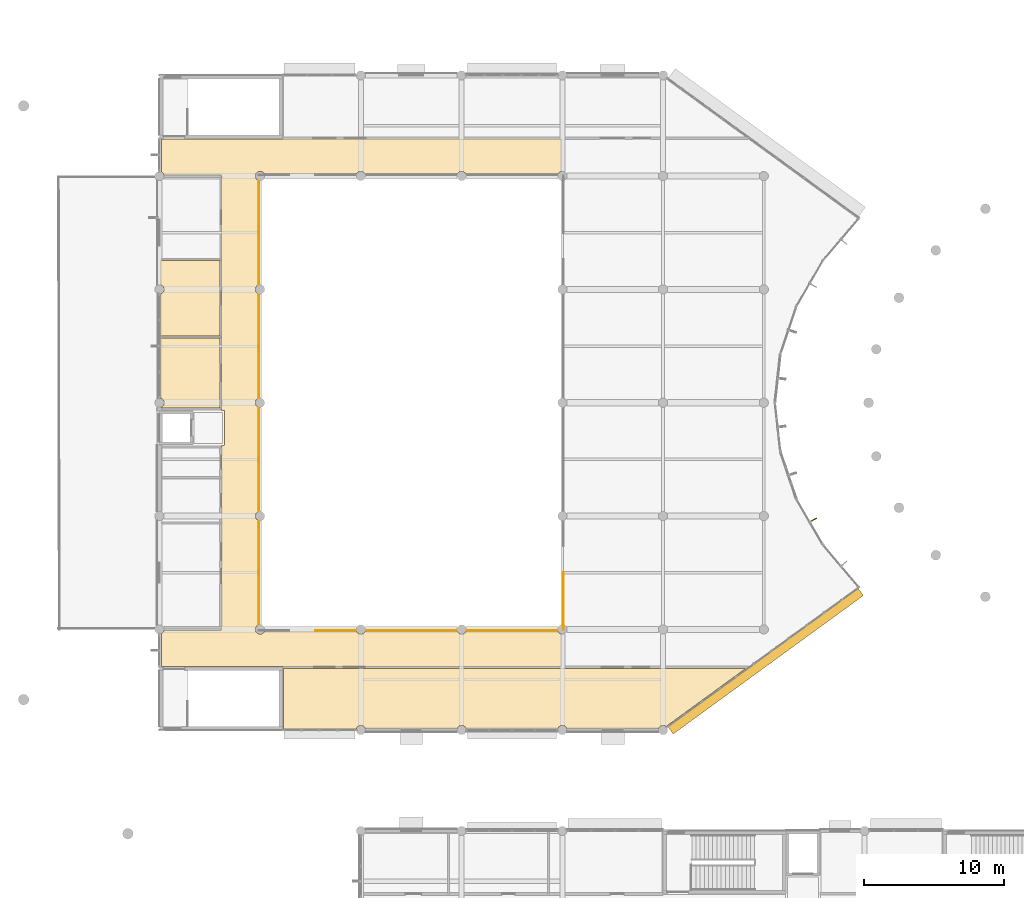
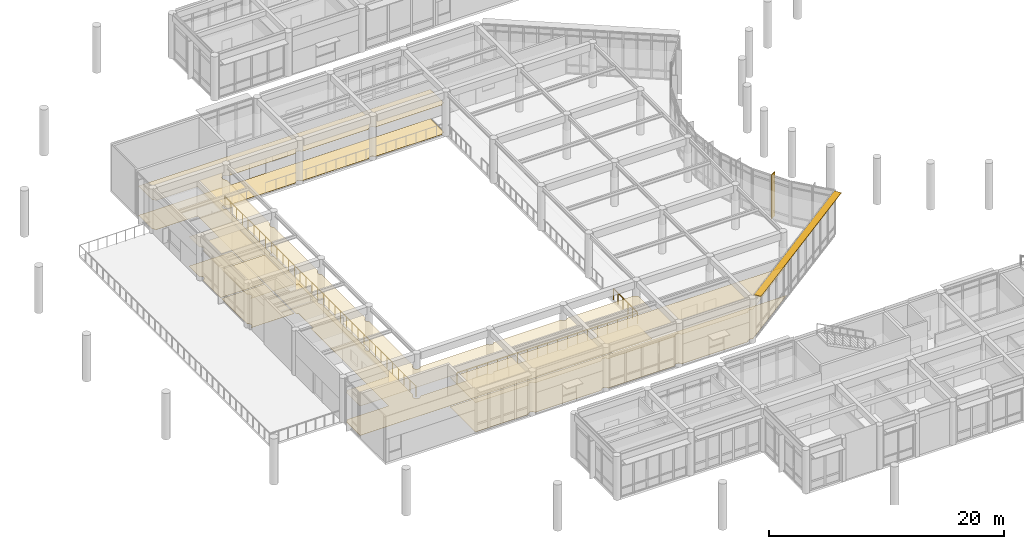
# One storey, part 70 of 92: 8 coverings, 3 railings, 2 shading devices.
"""IFC4 building model written with IfcOpenShell, lengths in metres."""

from ifc_helpers import new_model, si_unit, direction, frame, origin, origin_2d, place, context, subcontext, project, spatial, polyline, rectangle, circle, outline, extrude, material, layer, layer_set, type_object, element, save


model = new_model("IFC4")

# Units and contexts
model_context = context("Model", 3, precision=1e-05, world=origin(), true_north=direction((0.0, 1.0)))
body_context = subcontext(model_context, "Body", "Model", "MODEL_VIEW")
ifc_project = project(units=[si_unit("LENGTHUNIT", "METRE"), si_unit("AREAUNIT", "SQUARE_METRE"), si_unit("VOLUMEUNIT", "CUBIC_METRE"), si_unit("PLANEANGLEUNIT", "RADIAN"), si_unit("MASSUNIT", "GRAM", prefix="KILO")], contexts=[model_context])

# Site, building, storey
site_placement = place(None, origin())
site = spatial("IfcSite", under=ifc_project, at=site_placement, CompositionType="ELEMENT")
building_placement = place(site_placement, origin())
building = spatial("IfcBuilding", under=site, at=building_placement, Name="Namkhue Oval Health Centre", CompositionType="ELEMENT")
storey_placement = place(building_placement, frame((0.0, 0.0, 4.800048828125)))
storey = spatial("IfcBuildingStorey", under=building, at=storey_placement, Name="L01", CompositionType="ELEMENT", Elevation=4.800048828125)

# Coverings
ifc_material_1 = material(Name="Acoustic mineral-fibre cleanroom ceiling", Category="gypsum")
ifc_layer_1 = layer(ifc_material_1, 0.02001953125)
ifc_layer_set_1 = layer_set([ifc_layer_1], Name="Acoustic mineral-fibre cleanroom ceiling")
covering_type_1 = type_object("IfcCoveringType", Name="ACOUSTIC CLEANROOM CEILING 20", PredefinedType="CEILING", material=ifc_layer_set_1)
covering_1_placement = place(storey_placement, frame((0.0, 0.0, 3.050048828125)))
element("IfcCovering", 1, at=covering_1_placement, inside=storey, type_object=covering_type_1, Name="Acoustic Ceiling L01-V1-C1 Main Concourse Corridor", PredefinedType="CEILING", context=body_context, shape_type="SweptSolid", body=[
    extrude(outline(polyline([(21.735107421875, 42.896484375), (21.767578125, 42.909912109375), (21.8369140625, 42.963134765625), (21.89013671875, 43.032470703125), (21.923583984375, 43.11328125), (21.928466796875, 43.14990234375), (26.0, 43.14990234375), (26.014404296875, 43.152099609375), (26.02783203125, 43.158447265625), (26.04150390625, 43.172119140625), (26.0478515625, 43.185546875), (26.050048828125, 43.199951171875), (26.050048828125, 56.35009765625), (26.209716796875, 56.35107421875), (26.227783203125, 56.3583984375), (26.23876953125, 56.368408203125), (26.24609375, 56.380859375), (26.25, 56.39990234375), (26.249755859375, 58.804931640625), (26.244140625, 58.823486328125), (26.2353515625, 58.83544921875), (26.2236328125, 58.843994140625), (26.209716796875, 58.84912109375), (26.050048828125, 58.85009765625), (26.049072265625, 75.60986328125), (26.04150390625, 75.627685546875), (26.03173828125, 75.638671875), (26.01904296875, 75.646240234375), (26.0, 75.64990234375), (21.928466796875, 75.64990234375), (21.923583984375, 75.686767578125), (21.89013671875, 75.767578125), (21.8369140625, 75.8369140625), (21.767578125, 75.89013671875), (21.735107421875, 75.903564453125), (21.735107421875, 78.25), (50.389892578125, 78.25), (50.389892578125, 75.93359375), (50.313232421875, 75.923583984375), (50.232421875, 75.89013671875), (50.1630859375, 75.8369140625), (50.10986328125, 75.767578125), (50.096435546875, 75.735107421875), (43.503662109375, 75.735107421875), (43.489990234375, 75.767578125), (43.43701171875, 75.8369140625), (43.367431640625, 75.89013671875), (43.28662109375, 75.923583984375), (43.199951171875, 75.93505859375), (43.11328125, 75.923583984375), (43.032470703125, 75.89013671875), (42.963134765625, 75.8369140625), (42.909912109375, 75.767578125), (42.896484375, 75.735107421875), (36.3037109375, 75.735107421875), (36.2900390625, 75.767578125), (36.23681640625, 75.8369140625), (36.16748046875, 75.89013671875), (36.086669921875, 75.923583984375), (36.0, 75.93505859375), (35.913330078125, 75.923583984375), (35.83251953125, 75.89013671875), (35.76318359375, 75.8369140625), (35.7099609375, 75.767578125), (35.6962890625, 75.735107421875), (29.103515625, 75.735107421875), (29.090087890625, 75.767578125), (29.036865234375, 75.8369140625), (28.967529296875, 75.89013671875), (28.88671875, 75.923583984375), (28.800048828125, 75.93505859375), (28.71337890625, 75.923583984375), (28.632568359375, 75.89013671875), (28.56298828125, 75.8369140625), (28.510009765625, 75.767578125), (28.476318359375, 75.686767578125), (28.465087890625, 75.60009765625), (28.476318359375, 75.51318359375), (28.510009765625, 75.4326171875), (28.56298828125, 75.363037109375), (28.632568359375, 75.309814453125), (28.6650390625, 75.29638671875), (28.6650390625, 67.8037109375), (28.632568359375, 67.7900390625), (28.56298828125, 67.73681640625), (28.510009765625, 67.66748046875), (28.476318359375, 67.586669921875), (28.465087890625, 67.5), (28.476318359375, 67.413330078125), (28.510009765625, 67.33251953125), (28.56298828125, 67.26318359375), (28.632568359375, 67.2099609375), (28.6650390625, 67.1962890625), (28.6650390625, 59.70361328125), (28.632568359375, 59.690185546875), (28.56298828125, 59.636962890625), (28.510009765625, 59.5673828125), (28.476318359375, 59.48681640625), (28.465087890625, 59.39990234375), (28.476318359375, 59.313232421875), (28.510009765625, 59.232421875), (28.56298828125, 59.1630859375), (28.632568359375, 59.10986328125), (28.6650390625, 59.096435546875), (28.6650390625, 51.603515625), (28.632568359375, 51.590087890625), (28.56298828125, 51.536865234375), (28.510009765625, 51.467529296875), (28.476318359375, 51.38671875), (28.465087890625, 51.300048828125), (28.476318359375, 51.21337890625), (28.510009765625, 51.132568359375), (28.56298828125, 51.06298828125), (28.632568359375, 51.010009765625), (28.6650390625, 50.996337890625), (28.6650390625, 43.503662109375), (28.632568359375, 43.489990234375), (28.56298828125, 43.43701171875), (28.510009765625, 43.367431640625), (28.476318359375, 43.28662109375), (28.465087890625, 43.199951171875), (28.476318359375, 43.11328125), (28.510009765625, 43.032470703125), (28.56298828125, 42.963134765625), (28.632568359375, 42.909912109375), (28.71337890625, 42.87646484375), (28.800048828125, 42.864990234375), (28.88671875, 42.87646484375), (28.967529296875, 42.909912109375), (29.036865234375, 42.963134765625), (29.090087890625, 43.032470703125), (29.103515625, 43.06494140625), (35.6962890625, 43.06494140625), (35.7099609375, 43.032470703125), (35.76318359375, 42.963134765625), (35.83251953125, 42.909912109375), (35.913330078125, 42.87646484375), (36.0, 42.864990234375), (36.086669921875, 42.87646484375), (36.16748046875, 42.909912109375), (36.23681640625, 42.963134765625), (36.2900390625, 43.032470703125), (36.3037109375, 43.06494140625), (42.896484375, 43.06494140625), (42.909912109375, 43.032470703125), (42.963134765625, 42.963134765625), (43.032470703125, 42.909912109375), (43.11328125, 42.87646484375), (43.199951171875, 42.864990234375), (43.28662109375, 42.87646484375), (43.367431640625, 42.909912109375), (43.43701171875, 42.963134765625), (43.489990234375, 43.032470703125), (43.503662109375, 43.06494140625), (50.096435546875, 43.06494140625), (50.10986328125, 43.032470703125), (50.1630859375, 42.963134765625), (50.232421875, 42.909912109375), (50.313232421875, 42.87646484375), (50.389892578125, 42.8662109375), (50.389892578125, 40.550048828125), (21.735107421875, 40.550048828125), (21.735107421875, 42.896484375)])), origin(), (0.0, 0.0, 1.0), 0.02001953125),
])
covering_2_placement = place(storey_placement, frame((0.0, 0.0, 3.050048828125)))
element("IfcCovering", 2, at=covering_2_placement, inside=storey, type_object=covering_type_1, Name="Acoustic Ceiling L01-104 Telemedicine Consultation Suite", PredefinedType="CEILING", context=body_context, shape_type="SweptSolid", body=[
    extrude(outline(polyline([(21.68505859375, 59.02001953125), (21.68505859375, 59.076171875), (21.767578125, 59.10986328125), (21.8369140625, 59.1630859375), (21.89013671875, 59.232421875), (21.923583984375, 59.313232421875), (21.93505859375, 59.39990234375), (21.923583984375, 59.48681640625), (21.89013671875, 59.5673828125), (21.8369140625, 59.636962890625), (21.767578125, 59.690185546875), (21.68505859375, 59.723876953125), (21.68505859375, 64.030029296875), (25.919921875, 64.030029296875), (25.919921875, 59.02001953125), (21.68505859375, 59.02001953125)])), origin(), (0.0, 0.0, 1.0), 0.02001953125),
])
covering_3_placement = place(storey_placement, frame((0.0, 0.0, 3.050048828125)))
element("IfcCovering", 3, at=covering_3_placement, inside=storey, type_object=covering_type_1, Name="Acoustic Ceiling L01-105 Nutrition Counselling Room", PredefinedType="CEILING", context=body_context, shape_type="SweptSolid", body=[
    extrude(outline(polyline([(21.68505859375, 64.169921875), (21.68505859375, 67.17626953125), (21.767578125, 67.2099609375), (21.8369140625, 67.26318359375), (21.89013671875, 67.33251953125), (21.923583984375, 67.413330078125), (21.93505859375, 67.5), (21.923583984375, 67.586669921875), (21.89013671875, 67.66748046875), (21.8369140625, 67.73681640625), (21.767578125, 67.7900390625), (21.68505859375, 67.82373046875), (21.68505859375, 69.580078125), (25.919921875, 69.580078125), (25.919921875, 64.169921875), (21.68505859375, 64.169921875)])), origin(), (0.0, 0.0, 1.0), 0.02001953125),
])
covering_4_placement = place(storey_placement, frame((0.0, 0.0, 3.050048828125)))
element("IfcCovering", 4, at=covering_4_placement, inside=storey, type_object=covering_type_1, Name="Acoustic Ceiling L01-120 Antenatal Wellness Clinic", PredefinedType="CEILING", context=body_context, shape_type="SweptSolid", body=[
    extrude(outline(polyline([(57.809814453125, 36.2578125), (57.767578125, 36.2900390625), (57.686767578125, 36.323486328125), (57.60009765625, 36.3349609375), (57.51318359375, 36.323486328125), (57.4326171875, 36.2900390625), (57.363037109375, 36.23681640625), (57.309814453125, 36.16748046875), (57.276123046875, 36.0849609375), (50.723876953125, 36.0849609375), (50.690185546875, 36.16748046875), (50.636962890625, 36.23681640625), (50.5673828125, 36.2900390625), (50.48681640625, 36.323486328125), (50.39990234375, 36.3349609375), (50.313232421875, 36.323486328125), (50.232421875, 36.2900390625), (50.1630859375, 36.23681640625), (50.10986328125, 36.16748046875), (50.076171875, 36.0849609375), (43.523681640625, 36.0849609375), (43.489990234375, 36.16748046875), (43.43701171875, 36.23681640625), (43.367431640625, 36.2900390625), (43.28662109375, 36.323486328125), (43.199951171875, 36.3349609375), (43.11328125, 36.323486328125), (43.032470703125, 36.2900390625), (42.963134765625, 36.23681640625), (42.909912109375, 36.16748046875), (42.876220703125, 36.0849609375), (36.32373046875, 36.0849609375), (36.2900390625, 36.16748046875), (36.23681640625, 36.23681640625), (36.16748046875, 36.2900390625), (36.086669921875, 36.323486328125), (36.0, 36.3349609375), (35.913330078125, 36.323486328125), (35.83251953125, 36.2900390625), (35.76318359375, 36.23681640625), (35.7099609375, 36.16748046875), (35.67626953125, 36.0849609375), (30.47998046875, 36.0849609375), (30.47998046875, 40.419921875), (63.5283203125, 40.419921875), (57.809814453125, 36.2578125)])), origin(), (0.0, 0.0, 1.0), 0.02001953125),
])
ifc_material_2 = material(Name="Homogeneous anti-bacterial clinical vinyl flooring", Category="plastic")
ifc_layer_2 = layer(ifc_material_2, 0.014892578125)
ifc_layer_set_2 = layer_set([ifc_layer_2], Name="Homogeneous anti-bacterial clinical vinyl flooring")
covering_type_2 = type_object("IfcCoveringType", Name="CLINICAL ANTIBACTERIAL VINYL FLOORING 15", PredefinedType="FLOORING", material=ifc_layer_set_2)
covering_5_placement = place(storey_placement, origin())
element("IfcCovering", 5, at=covering_5_placement, inside=storey, type_object=covering_type_2, Name="Clinical Flooring L01-V1-C1 Main Concourse Corridor", PredefinedType="FLOORING", context=body_context, shape_type="SweptSolid", body=[
    extrude(outline(polyline([(21.735107421875, 42.896484375), (21.767578125, 42.909912109375), (21.8369140625, 42.963134765625), (21.89013671875, 43.032470703125), (21.923583984375, 43.11328125), (21.928466796875, 43.14990234375), (26.0, 43.14990234375), (26.014404296875, 43.152099609375), (26.02783203125, 43.158447265625), (26.04150390625, 43.172119140625), (26.0478515625, 43.185546875), (26.050048828125, 43.199951171875), (26.050048828125, 56.35009765625), (26.209716796875, 56.35107421875), (26.227783203125, 56.3583984375), (26.23876953125, 56.368408203125), (26.24609375, 56.380859375), (26.25, 56.39990234375), (26.249755859375, 58.804931640625), (26.244140625, 58.823486328125), (26.2353515625, 58.83544921875), (26.2236328125, 58.843994140625), (26.209716796875, 58.84912109375), (26.050048828125, 58.85009765625), (26.049072265625, 75.60986328125), (26.04150390625, 75.627685546875), (26.03173828125, 75.638671875), (26.01904296875, 75.646240234375), (26.0, 75.64990234375), (21.928466796875, 75.64990234375), (21.923583984375, 75.686767578125), (21.89013671875, 75.767578125), (21.8369140625, 75.8369140625), (21.767578125, 75.89013671875), (21.735107421875, 75.903564453125), (21.735107421875, 78.25), (50.389892578125, 78.25), (50.389892578125, 75.93359375), (50.313232421875, 75.923583984375), (50.232421875, 75.89013671875), (50.1630859375, 75.8369140625), (50.10986328125, 75.767578125), (50.096435546875, 75.735107421875), (43.503662109375, 75.735107421875), (43.489990234375, 75.767578125), (43.43701171875, 75.8369140625), (43.367431640625, 75.89013671875), (43.28662109375, 75.923583984375), (43.199951171875, 75.93505859375), (43.11328125, 75.923583984375), (43.032470703125, 75.89013671875), (42.963134765625, 75.8369140625), (42.909912109375, 75.767578125), (42.896484375, 75.735107421875), (36.3037109375, 75.735107421875), (36.2900390625, 75.767578125), (36.23681640625, 75.8369140625), (36.16748046875, 75.89013671875), (36.086669921875, 75.923583984375), (36.0, 75.93505859375), (35.913330078125, 75.923583984375), (35.83251953125, 75.89013671875), (35.76318359375, 75.8369140625), (35.7099609375, 75.767578125), (35.6962890625, 75.735107421875), (29.103515625, 75.735107421875), (29.090087890625, 75.767578125), (29.036865234375, 75.8369140625), (28.967529296875, 75.89013671875), (28.88671875, 75.923583984375), (28.800048828125, 75.93505859375), (28.71337890625, 75.923583984375), (28.632568359375, 75.89013671875), (28.56298828125, 75.8369140625), (28.510009765625, 75.767578125), (28.476318359375, 75.686767578125), (28.465087890625, 75.60009765625), (28.476318359375, 75.51318359375), (28.510009765625, 75.4326171875), (28.56298828125, 75.363037109375), (28.632568359375, 75.309814453125), (28.6650390625, 75.29638671875), (28.6650390625, 67.8037109375), (28.632568359375, 67.7900390625), (28.56298828125, 67.73681640625), (28.510009765625, 67.66748046875), (28.476318359375, 67.586669921875), (28.465087890625, 67.5), (28.476318359375, 67.413330078125), (28.510009765625, 67.33251953125), (28.56298828125, 67.26318359375), (28.632568359375, 67.2099609375), (28.6650390625, 67.1962890625), (28.6650390625, 59.70361328125), (28.632568359375, 59.690185546875), (28.56298828125, 59.636962890625), (28.510009765625, 59.5673828125), (28.476318359375, 59.48681640625), (28.465087890625, 59.39990234375), (28.476318359375, 59.313232421875), (28.510009765625, 59.232421875), (28.56298828125, 59.1630859375), (28.632568359375, 59.10986328125), (28.6650390625, 59.096435546875), (28.6650390625, 51.603515625), (28.632568359375, 51.590087890625), (28.56298828125, 51.536865234375), (28.510009765625, 51.467529296875), (28.476318359375, 51.38671875), (28.465087890625, 51.300048828125), (28.476318359375, 51.21337890625), (28.510009765625, 51.132568359375), (28.56298828125, 51.06298828125), (28.632568359375, 51.010009765625), (28.6650390625, 50.996337890625), (28.6650390625, 43.503662109375), (28.632568359375, 43.489990234375), (28.56298828125, 43.43701171875), (28.510009765625, 43.367431640625), (28.476318359375, 43.28662109375), (28.465087890625, 43.199951171875), (28.476318359375, 43.11328125), (28.510009765625, 43.032470703125), (28.56298828125, 42.963134765625), (28.632568359375, 42.909912109375), (28.71337890625, 42.87646484375), (28.800048828125, 42.864990234375), (28.88671875, 42.87646484375), (28.967529296875, 42.909912109375), (29.036865234375, 42.963134765625), (29.090087890625, 43.032470703125), (29.103515625, 43.06494140625), (35.6962890625, 43.06494140625), (35.7099609375, 43.032470703125), (35.76318359375, 42.963134765625), (35.83251953125, 42.909912109375), (35.913330078125, 42.87646484375), (36.0, 42.864990234375), (36.086669921875, 42.87646484375), (36.16748046875, 42.909912109375), (36.23681640625, 42.963134765625), (36.2900390625, 43.032470703125), (36.3037109375, 43.06494140625), (42.896484375, 43.06494140625), (42.909912109375, 43.032470703125), (42.963134765625, 42.963134765625), (43.032470703125, 42.909912109375), (43.11328125, 42.87646484375), (43.199951171875, 42.864990234375), (43.28662109375, 42.87646484375), (43.367431640625, 42.909912109375), (43.43701171875, 42.963134765625), (43.489990234375, 43.032470703125), (43.503662109375, 43.06494140625), (50.096435546875, 43.06494140625), (50.10986328125, 43.032470703125), (50.1630859375, 42.963134765625), (50.232421875, 42.909912109375), (50.313232421875, 42.87646484375), (50.389892578125, 42.8662109375), (50.389892578125, 40.550048828125), (21.735107421875, 40.550048828125), (21.735107421875, 42.896484375)])), origin(), (0.0, 0.0, 1.0), 0.014892578125),
])
covering_6_placement = place(storey_placement, origin())
element("IfcCovering", 6, at=covering_6_placement, inside=storey, type_object=covering_type_2, Name="Clinical Flooring L01-104 Telemedicine Consultation Suite", PredefinedType="FLOORING", context=body_context, shape_type="SweptSolid", body=[
    extrude(outline(polyline([(21.68505859375, 59.02001953125), (21.68505859375, 59.076171875), (21.767578125, 59.10986328125), (21.8369140625, 59.1630859375), (21.89013671875, 59.232421875), (21.923583984375, 59.313232421875), (21.93505859375, 59.39990234375), (21.923583984375, 59.48681640625), (21.89013671875, 59.5673828125), (21.8369140625, 59.636962890625), (21.767578125, 59.690185546875), (21.68505859375, 59.723876953125), (21.68505859375, 64.030029296875), (25.919921875, 64.030029296875), (25.919921875, 59.02001953125), (21.68505859375, 59.02001953125)])), origin(), (0.0, 0.0, 1.0), 0.014892578125),
])
covering_7_placement = place(storey_placement, origin())
element("IfcCovering", 7, at=covering_7_placement, inside=storey, type_object=covering_type_2, Name="Clinical Flooring L01-105 Nutrition Counselling Room", PredefinedType="FLOORING", context=body_context, shape_type="SweptSolid", body=[
    extrude(outline(polyline([(21.68505859375, 64.169921875), (21.68505859375, 67.17626953125), (21.767578125, 67.2099609375), (21.8369140625, 67.26318359375), (21.89013671875, 67.33251953125), (21.923583984375, 67.413330078125), (21.93505859375, 67.5), (21.923583984375, 67.586669921875), (21.89013671875, 67.66748046875), (21.8369140625, 67.73681640625), (21.767578125, 67.7900390625), (21.68505859375, 67.82373046875), (21.68505859375, 69.580078125), (25.919921875, 69.580078125), (25.919921875, 64.169921875), (21.68505859375, 64.169921875)])), origin(), (0.0, 0.0, 1.0), 0.014892578125),
])
covering_8_placement = place(storey_placement, origin())
element("IfcCovering", 8, at=covering_8_placement, inside=storey, type_object=covering_type_2, Name="Clinical Flooring L01-120 Antenatal Wellness Clinic", PredefinedType="FLOORING", context=body_context, shape_type="SweptSolid", body=[
    extrude(outline(polyline([(57.809814453125, 36.2578125), (57.767578125, 36.2900390625), (57.686767578125, 36.323486328125), (57.60009765625, 36.3349609375), (57.51318359375, 36.323486328125), (57.4326171875, 36.2900390625), (57.363037109375, 36.23681640625), (57.309814453125, 36.16748046875), (57.276123046875, 36.0849609375), (50.723876953125, 36.0849609375), (50.690185546875, 36.16748046875), (50.636962890625, 36.23681640625), (50.5673828125, 36.2900390625), (50.48681640625, 36.323486328125), (50.39990234375, 36.3349609375), (50.313232421875, 36.323486328125), (50.232421875, 36.2900390625), (50.1630859375, 36.23681640625), (50.10986328125, 36.16748046875), (50.076171875, 36.0849609375), (43.523681640625, 36.0849609375), (43.489990234375, 36.16748046875), (43.43701171875, 36.23681640625), (43.367431640625, 36.2900390625), (43.28662109375, 36.323486328125), (43.199951171875, 36.3349609375), (43.11328125, 36.323486328125), (43.032470703125, 36.2900390625), (42.963134765625, 36.23681640625), (42.909912109375, 36.16748046875), (42.876220703125, 36.0849609375), (36.32373046875, 36.0849609375), (36.2900390625, 36.16748046875), (36.23681640625, 36.23681640625), (36.16748046875, 36.2900390625), (36.086669921875, 36.323486328125), (36.0, 36.3349609375), (35.913330078125, 36.323486328125), (35.83251953125, 36.2900390625), (35.76318359375, 36.23681640625), (35.7099609375, 36.16748046875), (35.67626953125, 36.0849609375), (30.47998046875, 36.0849609375), (30.47998046875, 40.419921875), (63.5283203125, 40.419921875), (57.809814453125, 36.2578125)])), origin(), (0.0, 0.0, 1.0), 0.014892578125),
])

# Railings
ifc_material_3 = material(Name="Brushed stainless steel 316L balustrade with laminated glass infill", Category="steel")
railing_type = type_object("IfcRailingType", Name="INTERIOR BALUSTRADE GUARD 1150", PredefinedType="BALUSTRADE", material=ifc_material_3)
railing_1_placement = place(storey_placement, frame((28.719970703125, 43.179931640625, 0.0)))
element("IfcRailing", 9, at=railing_1_placement, inside=storey, type_object=railing_type, Name="Waiting Hall L01 Mezzanine Atrium Guard 1", PredefinedType="BALUSTRADE", context=body_context, shape_type="SweptSolid", body=[
    extrude(circle(Radius=0.02392578125, at=origin_2d()), frame((0.0, 0.0, 1.1259765625), z_axis=(0.0, 1.0, 0.0), x_axis=(-1.0, 0.0, 0.0)), (0.0, 0.0, 1.0), 32.440185546875),
    extrude(circle(Radius=0.02099609375, at=origin_2d()), origin(), (0.0, 0.0, 1.0), 1.101806640625),
    extrude(circle(Radius=0.02099609375, at=origin_2d()), frame((0.0, 0.983154296875, 0.0)), (0.0, 0.0, 1.0), 1.101806640625),
    extrude(circle(Radius=0.02099609375, at=origin_2d()), frame((0.0, 1.966064453125, 0.0)), (0.0, 0.0, 1.0), 1.101806640625),
    extrude(circle(Radius=0.02099609375, at=origin_2d()), frame((0.0, 2.94921875, 0.0)), (0.0, 0.0, 1.0), 1.101806640625),
    extrude(circle(Radius=0.02099609375, at=origin_2d()), frame((0.0, 3.93212890625, 0.0)), (0.0, 0.0, 1.0), 1.101806640625),
    extrude(circle(Radius=0.02099609375, at=origin_2d()), frame((0.0, 4.915283203125, 0.0)), (0.0, 0.0, 1.0), 1.101806640625),
    extrude(circle(Radius=0.02099609375, at=origin_2d()), frame((0.0, 5.898193359375, 0.0)), (0.0, 0.0, 1.0), 1.101806640625),
    extrude(circle(Radius=0.02099609375, at=origin_2d()), frame((0.0, 6.88134765625, 0.0)), (0.0, 0.0, 1.0), 1.101806640625),
    extrude(circle(Radius=0.02099609375, at=origin_2d()), frame((0.0, 7.8642578125, 0.0)), (0.0, 0.0, 1.0), 1.101806640625),
    extrude(circle(Radius=0.02099609375, at=origin_2d()), frame((0.0, 8.847412109375, 0.0)), (0.0, 0.0, 1.0), 1.101806640625),
    extrude(circle(Radius=0.02099609375, at=origin_2d()), frame((0.0, 9.830322265625, 0.0)), (0.0, 0.0, 1.0), 1.101806640625),
    extrude(circle(Radius=0.02099609375, at=origin_2d()), frame((0.0, 10.8134765625, 0.0)), (0.0, 0.0, 1.0), 1.101806640625),
    extrude(circle(Radius=0.02099609375, at=origin_2d()), frame((0.0, 11.79638671875, 0.0)), (0.0, 0.0, 1.0), 1.101806640625),
    extrude(circle(Radius=0.02099609375, at=origin_2d()), frame((0.0, 12.779541015625, 0.0)), (0.0, 0.0, 1.0), 1.101806640625),
    extrude(circle(Radius=0.02099609375, at=origin_2d()), frame((0.0, 13.762451171875, 0.0)), (0.0, 0.0, 1.0), 1.101806640625),
    extrude(circle(Radius=0.02099609375, at=origin_2d()), frame((0.0, 14.74560546875, 0.0)), (0.0, 0.0, 1.0), 1.101806640625),
    extrude(circle(Radius=0.02099609375, at=origin_2d()), frame((0.0, 15.728515625, 0.0)), (0.0, 0.0, 1.0), 1.101806640625),
    extrude(circle(Radius=0.02099609375, at=origin_2d()), frame((0.0, 16.711669921875, 0.0)), (0.0, 0.0, 1.0), 1.101806640625),
    extrude(circle(Radius=0.02099609375, at=origin_2d()), frame((0.0, 17.694580078125, 0.0)), (0.0, 0.0, 1.0), 1.101806640625),
    extrude(circle(Radius=0.02099609375, at=origin_2d()), frame((0.0, 18.677734375, 0.0)), (0.0, 0.0, 1.0), 1.101806640625),
    extrude(circle(Radius=0.02099609375, at=origin_2d()), frame((0.0, 19.66064453125, 0.0)), (0.0, 0.0, 1.0), 1.101806640625),
    extrude(circle(Radius=0.02099609375, at=origin_2d()), frame((0.0, 20.643798828125, 0.0)), (0.0, 0.0, 1.0), 1.101806640625),
    extrude(circle(Radius=0.02099609375, at=origin_2d()), frame((0.0, 21.626708984375, 0.0)), (0.0, 0.0, 1.0), 1.101806640625),
    extrude(circle(Radius=0.02099609375, at=origin_2d()), frame((0.0, 22.60986328125, 0.0)), (0.0, 0.0, 1.0), 1.101806640625),
    extrude(circle(Radius=0.02099609375, at=origin_2d()), frame((0.0, 23.5927734375, 0.0)), (0.0, 0.0, 1.0), 1.101806640625),
    extrude(circle(Radius=0.02099609375, at=origin_2d()), frame((0.0, 24.575927734375, 0.0)), (0.0, 0.0, 1.0), 1.101806640625),
    extrude(circle(Radius=0.02099609375, at=origin_2d()), frame((0.0, 25.558837890625, 0.0)), (0.0, 0.0, 1.0), 1.101806640625),
    extrude(circle(Radius=0.02099609375, at=origin_2d()), frame((0.0, 26.5419921875, 0.0)), (0.0, 0.0, 1.0), 1.101806640625),
    extrude(circle(Radius=0.02099609375, at=origin_2d()), frame((0.0, 27.52490234375, 0.0)), (0.0, 0.0, 1.0), 1.101806640625),
    extrude(circle(Radius=0.02099609375, at=origin_2d()), frame((0.0, 28.508056640625, 0.0)), (0.0, 0.0, 1.0), 1.101806640625),
    extrude(circle(Radius=0.02099609375, at=origin_2d()), frame((0.0, 29.490966796875, 0.0)), (0.0, 0.0, 1.0), 1.101806640625),
    extrude(circle(Radius=0.02099609375, at=origin_2d()), frame((0.0, 30.47412109375, 0.0)), (0.0, 0.0, 1.0), 1.101806640625),
    extrude(circle(Radius=0.02099609375, at=origin_2d()), frame((0.0, 31.45703125, 0.0)), (0.0, 0.0, 1.0), 1.101806640625),
    extrude(circle(Radius=0.02099609375, at=origin_2d()), frame((0.0, 32.440185546875, 0.0)), (0.0, 0.0, 1.0), 1.101806640625),
])
railing_2_placement = place(storey_placement, frame((32.75, 43.1201171875, 0.0)))
element("IfcRailing", 10, at=railing_2_placement, inside=storey, type_object=railing_type, Name="Waiting Hall L01 Mezzanine Atrium Guard 3", PredefinedType="BALUSTRADE", context=body_context, shape_type="SweptSolid", body=[
    extrude(circle(Radius=0.02392578125, at=origin_2d()), frame((0.0, 0.0, 1.1259765625), z_axis=(1.0, 0.0, 0.0), x_axis=(0.0, 1.0, 0.0)), (0.0, 0.0, 1.0), 17.72998046875),
    extrude(circle(Radius=0.02099609375, at=origin_2d()), origin(), (0.0, 0.0, 1.0), 1.101806640625),
    extrude(circle(Radius=0.02099609375, at=origin_2d()), frame((0.985107421875, 0.0, 0.0)), (0.0, 0.0, 1.0), 1.101806640625),
    extrude(circle(Radius=0.02099609375, at=origin_2d()), frame((1.969970703125, 0.0, 0.0)), (0.0, 0.0, 1.0), 1.101806640625),
    extrude(circle(Radius=0.02099609375, at=origin_2d()), frame((2.955078125, 0.0, 0.0)), (0.0, 0.0, 1.0), 1.101806640625),
    extrude(circle(Radius=0.02099609375, at=origin_2d()), frame((3.93994140625, 0.0, 0.0)), (0.0, 0.0, 1.0), 1.101806640625),
    extrude(circle(Radius=0.02099609375, at=origin_2d()), frame((4.925048828125, 0.0, 0.0)), (0.0, 0.0, 1.0), 1.101806640625),
    extrude(circle(Radius=0.02099609375, at=origin_2d()), frame((5.909912109375, 0.0, 0.0)), (0.0, 0.0, 1.0), 1.101806640625),
    extrude(circle(Radius=0.02099609375, at=origin_2d()), frame((6.89501953125, 0.0, 0.0)), (0.0, 0.0, 1.0), 1.101806640625),
    extrude(circle(Radius=0.02099609375, at=origin_2d()), frame((7.8798828125, 0.0, 0.0)), (0.0, 0.0, 1.0), 1.101806640625),
    extrude(circle(Radius=0.02099609375, at=origin_2d()), frame((8.864990234375, 0.0, 0.0)), (0.0, 0.0, 1.0), 1.101806640625),
    extrude(circle(Radius=0.02099609375, at=origin_2d()), frame((9.85009765625, 0.0, 0.0)), (0.0, 0.0, 1.0), 1.101806640625),
    extrude(circle(Radius=0.02099609375, at=origin_2d()), frame((10.8349609375, 0.0, 0.0)), (0.0, 0.0, 1.0), 1.101806640625),
    extrude(circle(Radius=0.02099609375, at=origin_2d()), frame((11.820068359375, 0.0, 0.0)), (0.0, 0.0, 1.0), 1.101806640625),
    extrude(circle(Radius=0.02099609375, at=origin_2d()), frame((12.804931640625, 0.0, 0.0)), (0.0, 0.0, 1.0), 1.101806640625),
    extrude(circle(Radius=0.02099609375, at=origin_2d()), frame((13.7900390625, 0.0, 0.0)), (0.0, 0.0, 1.0), 1.101806640625),
    extrude(circle(Radius=0.02099609375, at=origin_2d()), frame((14.77490234375, 0.0, 0.0)), (0.0, 0.0, 1.0), 1.101806640625),
    extrude(circle(Radius=0.02099609375, at=origin_2d()), frame((15.760009765625, 0.0, 0.0)), (0.0, 0.0, 1.0), 1.101806640625),
    extrude(circle(Radius=0.02099609375, at=origin_2d()), frame((16.744873046875, 0.0, 0.0)), (0.0, 0.0, 1.0), 1.101806640625),
    extrude(circle(Radius=0.02099609375, at=origin_2d()), frame((17.72998046875, 0.0, 0.0)), (0.0, 0.0, 1.0), 1.101806640625),
])
railing_3_placement = place(storey_placement, frame((50.47998046875, 43.179931640625, 0.0)))
element("IfcRailing", 11, at=railing_3_placement, inside=storey, type_object=railing_type, Name="Waiting Hall L01 Mezzanine Atrium Guard 6", PredefinedType="BALUSTRADE", context=body_context, shape_type="SweptSolid", body=[
    extrude(circle(Radius=0.02392578125, at=origin_2d()), frame((0.0, 0.0, 1.1259765625), z_axis=(0.0, 1.0, 0.0), x_axis=(-1.0, 0.0, 0.0)), (0.0, 0.0, 1.0), 4.070068359375),
    extrude(circle(Radius=0.02099609375, at=origin_2d()), origin(), (0.0, 0.0, 1.0), 1.101806640625),
    extrude(circle(Radius=0.02099609375, at=origin_2d()), frame((0.0, 0.81396484375, 0.0)), (0.0, 0.0, 1.0), 1.101806640625),
    extrude(circle(Radius=0.02099609375, at=origin_2d()), frame((0.0, 1.6279296875, 0.0)), (0.0, 0.0, 1.0), 1.101806640625),
    extrude(circle(Radius=0.02099609375, at=origin_2d()), frame((0.0, 2.442138671875, 0.0)), (0.0, 0.0, 1.0), 1.101806640625),
    extrude(circle(Radius=0.02099609375, at=origin_2d()), frame((0.0, 3.256103515625, 0.0)), (0.0, 0.0, 1.0), 1.101806640625),
    extrude(circle(Radius=0.02099609375, at=origin_2d()), frame((0.0, 4.070068359375, 0.0)), (0.0, 0.0, 1.0), 1.101806640625),
])

# Shading devices
ifc_material_4 = material(Name="Anodised aluminium EN AW-6063 T6", Category="aluminium")
ifc_layer_3 = layer(ifc_material_4, 0.050048828125)
ifc_layer_set_3 = layer_set([ifc_layer_3], Name="Anodised aluminium EN AW-6063 T6")
shading_device_type_1 = type_object("IfcShadingDeviceType", Name="STORM SHUTTER LOUVRE 650", PredefinedType="SHUTTER", material=ifc_layer_set_3)
shading_device_1_placement = place(storey_placement, frame((64.9296875, 40.932861328125, 4.530029296875), z_axis=(0.0, 0.0, 1.0), x_axis=(0.808503746992, 0.588491028904, 0.0)))
element("IfcShadingDevice", 12, at=shading_device_1_placement, inside=storey, type_object=shading_device_type_1, Name="Volume V1 L01 Horizontal Monsoon Sun Louvre 27", PredefinedType="SHUTTER", context=body_context, shape_type="SweptSolid", body=[
    extrude(rectangle(XDim=16.818115234375, YDim=0.64990234375, at=origin_2d()), origin(), (0.0, 0.0, 1.0), 0.06005859375),
])
shading_device_type_2 = type_object("IfcShadingDeviceType", Name="VERTICAL SOLAR FIN 600", PredefinedType="USERDEFINED", material=ifc_material_4)
shading_device_2_placement = place(storey_placement, frame((68.308349609375, 51.00048828125, 0.0), z_axis=(0.0, 0.0, 1.0), x_axis=(0.864976307593, 0.501812701416, 0.0)))
element("IfcShadingDevice", 13, at=shading_device_2_placement, inside=storey, type_object=shading_device_type_2, Name="Volume V1 L01 Extruded Aluminium Solar Fin 29", ObjectType="SOLAR FIN", PredefinedType="USERDEFINED", context=body_context, shape_type="SweptSolid", body=[
    extrude(rectangle(XDim=0.60009765625, YDim=0.06005859375, at=origin_2d()), origin(), (0.0, 0.0, 1.0), 4.60009765625),
])

save(model, "model.ifc")
